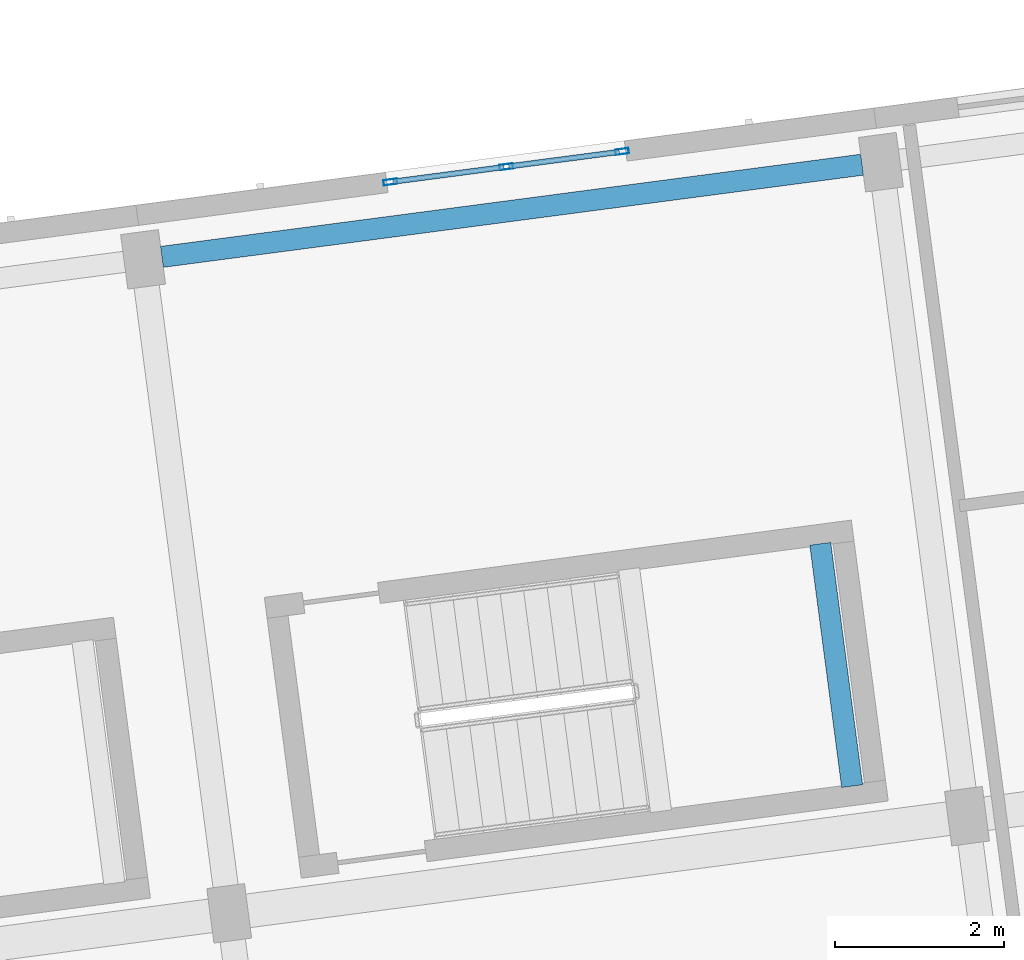
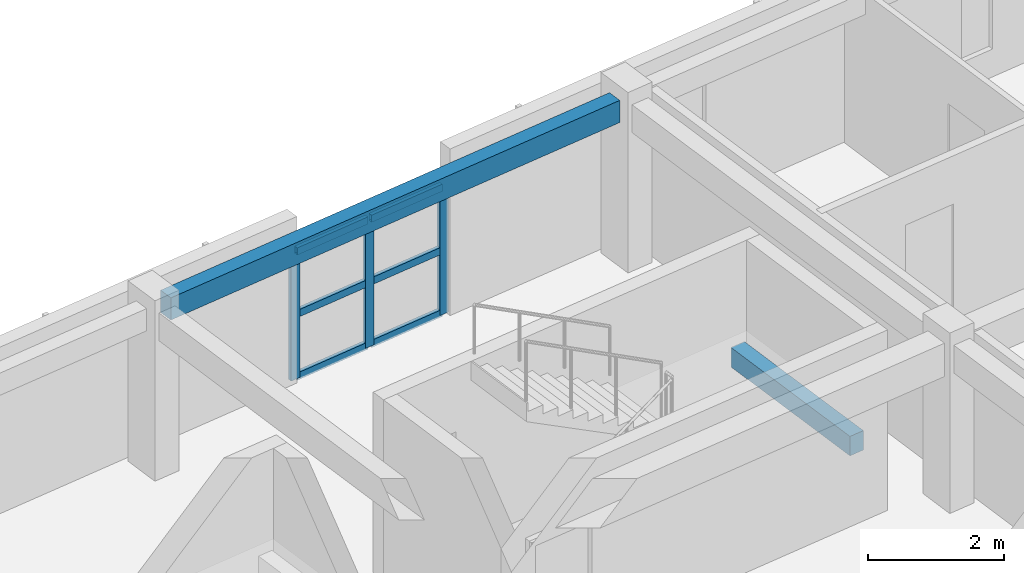
# One storey, part 5 of 45: 9 members, 2 beams, 1 element without a shape of its own.
"""IFC4 building model written with IfcOpenShell, lengths in metres."""

from ifc_helpers import new_model, si_unit, direction, frame, origin, origin_2d, place, context, subcontext, project, spatial, rectangle, hollow_rectangle, extrude, material, material_profile, profile_set, type_object, element, aggregate, save


model = new_model("IFC4")

# Units and contexts
model_context = context("Model", 3, precision=1e-05, world=origin(), true_north=direction((0.0, 1.0)))
body_context = subcontext(model_context, "Body", "Model", "MODEL_VIEW")
ifc_project = project(units=[si_unit("LENGTHUNIT", "METRE"), si_unit("AREAUNIT", "SQUARE_METRE"), si_unit("VOLUMEUNIT", "CUBIC_METRE"), si_unit("PLANEANGLEUNIT", "RADIAN"), si_unit("MASSUNIT", "GRAM", prefix="KILO")], contexts=[model_context])

# Site, building, storey
site_placement = place(None, origin())
site = spatial("IfcSite", under=ifc_project, at=site_placement, CompositionType="ELEMENT")
building_placement = place(site_placement, origin())
building = spatial("IfcBuilding", under=site, at=building_placement, Name="Kestramere Prow Commons", CompositionType="ELEMENT")
storey_placement = place(building_placement, frame((0.0, 0.0, 31.14990234375)))
storey = spatial("IfcBuildingStorey", under=building, at=storey_placement, Name="L09", CompositionType="ELEMENT", Elevation=31.14990234375)

# Beam
ifc_material_1 = material(Name="Concrete C40/50", Category="concrete")
ifc_material_profile_1 = material_profile(ifc_material_1, rectangle(XDim=0.25, YDim=0.35009765625, at=origin_2d()), Name="PC-BM 250x350")
ifc_profile_set_1 = profile_set([ifc_material_profile_1], Name="Concrete C40/50")
beam_type_1 = type_object("IfcBeamType", Name="BM-ST-TRIM", PredefinedType="BEAM", material=ifc_profile_set_1)
beam_1_placement = place(storey_placement, frame((34.423583984375, 87.897216796875, 1.25), z_axis=(-0.130509140242, 0.99144710616, 0.0), x_axis=(-0.99144710616, -0.130509140242, 0.0)))
element("IfcBeam", 1, at=beam_1_placement, inside=storey, type_object=beam_type_1, Name="ST-A2 L09 Landing Trimmer Beam 1B", PredefinedType="BEAM", context=body_context, shape_type="SweptSolid", body=[
    extrude(rectangle(XDim=0.25, YDim=0.35009765625, at=origin_2d()), origin(), (0.0, 0.0, 1.0), 2.89013671875),
])

# Curtain wall, members
ifc_material_2 = material(Name="Anodised Aluminium and Low-E Glass", Category="aluminium")
curtain_wall_type = type_object("IfcCurtainWallType", Name="CW-03 Glazed Curtain Wall 2830x2320", PredefinedType="USERDEFINED", material=ifc_material_2)
curtain_wall_placement = place(storey_placement, origin())
curtain_wall = element("IfcCurtainWall", 2, at=curtain_wall_placement, inside=storey, type_object=curtain_wall_type, Name="Block A L09 Stairwell Vertical Glazing 3", ObjectType="GLAZED CURTAIN WALL", PredefinedType="USERDEFINED")
ifc_material_3 = material(Name="Anodised Aluminium 6063-T6", Category="aluminium")
ifc_material_profile_2 = material_profile(ifc_material_3, hollow_rectangle(XDim=0.06494140625, YDim=0.159912109375, WallThickness=0.00390625, at=origin_2d()), Name="ALU-MUL 65x160")
ifc_profile_set_2 = profile_set([ifc_material_profile_2], Name="Anodised Aluminium 6063-T6")
member_type_1 = type_object("IfcMemberType", Name="CW-MUL-65x160", PredefinedType="MULLION", material=ifc_profile_set_2)
member_1_placement = place(storey_placement, frame((28.962158203125, 95.04052734375, 0.0), z_axis=(0.0, 0.0, 1.0), x_axis=(-0.130526494555, 0.991444821571, 0.0)))
member_1 = element("IfcMember", 3, at=member_1_placement, type_object=member_type_1, Name="CW-03 mullion 1", PredefinedType="MULLION", context=body_context, shape_type="SweptSolid", body=[
    extrude(hollow_rectangle(XDim=0.06494140625, YDim=0.159912109375, WallThickness=0.00390625, at=origin_2d()), origin(), (0.0, 0.0, 1.0), 2.320068359375),
])
member_2_placement = place(storey_placement, frame((30.332763671875, 95.220947265625, 0.0), z_axis=(0.0, 0.0, 1.0), x_axis=(-0.130526494555, 0.991444821571, 0.0)))
member_2 = element("IfcMember", 4, at=member_2_placement, type_object=member_type_1, Name="CW-03 mullion 2", PredefinedType="MULLION", context=body_context, shape_type="SweptSolid", body=[
    extrude(hollow_rectangle(XDim=0.06494140625, YDim=0.159912109375, WallThickness=0.00390625, at=origin_2d()), origin(), (0.0, 0.0, 1.0), 2.320068359375),
])
member_3_placement = place(storey_placement, frame((31.703369140625, 95.4013671875, 0.0), z_axis=(0.0, 0.0, 1.0), x_axis=(-0.130526494555, 0.991444821571, 0.0)))
member_3 = element("IfcMember", 5, at=member_3_placement, type_object=member_type_1, Name="CW-03 mullion 3", PredefinedType="MULLION", context=body_context, shape_type="SweptSolid", body=[
    extrude(hollow_rectangle(XDim=0.06494140625, YDim=0.159912109375, WallThickness=0.00390625, at=origin_2d()), origin(), (0.0, 0.0, 1.0), 2.320068359375),
])
ifc_material_profile_3 = material_profile(ifc_material_3, hollow_rectangle(XDim=0.06494140625, YDim=0.1298828125, WallThickness=0.00390625, at=origin_2d()), Name="ALU-TRN 65x130")
ifc_profile_set_3 = profile_set([ifc_material_profile_3], Name="Anodised Aluminium 6063-T6")
member_type_2 = type_object("IfcMemberType", Name="CW-TRN-65x130", PredefinedType="USERDEFINED", material=ifc_profile_set_3)
member_4_placement = place(storey_placement, frame((28.994384765625, 95.044677734375, 0.03271484375), z_axis=(0.99142904707, 0.130646257605, 0.0), x_axis=(-0.130646257605, 0.99142904707, 0.0)))
member_4 = element("IfcMember", 6, at=member_4_placement, type_object=member_type_2, Name="CW-03 transom 1.1", ObjectType="TRANSOM", PredefinedType="USERDEFINED", context=body_context, shape_type="SweptSolid", body=[
    extrude(hollow_rectangle(XDim=0.06494140625, YDim=0.1298828125, WallThickness=0.00390625, at=origin_2d()), origin(), (0.0, 0.0, 1.0), 1.3173828125),
])
member_5_placement = place(storey_placement, frame((28.994384765625, 95.044677734375, 1.16015625), z_axis=(0.99142904707, 0.130646257605, 0.0), x_axis=(-0.130646257605, 0.99142904707, 0.0)))
member_5 = element("IfcMember", 7, at=member_5_placement, type_object=member_type_2, Name="CW-03 transom 1.2", ObjectType="TRANSOM", PredefinedType="USERDEFINED", context=body_context, shape_type="SweptSolid", body=[
    extrude(hollow_rectangle(XDim=0.06494140625, YDim=0.1298828125, WallThickness=0.00390625, at=origin_2d()), origin(), (0.0, 0.0, 1.0), 1.3173828125),
])
member_6_placement = place(storey_placement, frame((28.994384765625, 95.044677734375, 2.28759765625), z_axis=(0.99142904707, 0.130646257605, 0.0), x_axis=(-0.130646257605, 0.99142904707, 0.0)))
member_6 = element("IfcMember", 8, at=member_6_placement, type_object=member_type_2, Name="CW-03 transom 1.3", ObjectType="TRANSOM", PredefinedType="USERDEFINED", context=body_context, shape_type="SweptSolid", body=[
    extrude(hollow_rectangle(XDim=0.06494140625, YDim=0.1298828125, WallThickness=0.00390625, at=origin_2d()), origin(), (0.0, 0.0, 1.0), 1.3173828125),
])
member_7_placement = place(storey_placement, frame((30.364990234375, 95.225341796875, 0.03271484375), z_axis=(0.991453033969, 0.130464100171, 0.0), x_axis=(-0.130464100171, 0.991453033969, 0.0)))
member_7 = element("IfcMember", 9, at=member_7_placement, type_object=member_type_2, Name="CW-03 transom 2.1", ObjectType="TRANSOM", PredefinedType="USERDEFINED", context=body_context, shape_type="SweptSolid", body=[
    extrude(hollow_rectangle(XDim=0.06494140625, YDim=0.1298828125, WallThickness=0.00390625, at=origin_2d()), origin(), (0.0, 0.0, 1.0), 1.3173828125),
])
member_8_placement = place(storey_placement, frame((30.364990234375, 95.225341796875, 1.16015625), z_axis=(0.991453033969, 0.130464100171, 0.0), x_axis=(-0.130464100171, 0.991453033969, 0.0)))
member_8 = element("IfcMember", 10, at=member_8_placement, type_object=member_type_2, Name="CW-03 transom 2.2", ObjectType="TRANSOM", PredefinedType="USERDEFINED", context=body_context, shape_type="SweptSolid", body=[
    extrude(hollow_rectangle(XDim=0.06494140625, YDim=0.1298828125, WallThickness=0.00390625, at=origin_2d()), origin(), (0.0, 0.0, 1.0), 1.3173828125),
])
member_9_placement = place(storey_placement, frame((30.364990234375, 95.225341796875, 2.28759765625), z_axis=(0.991453033969, 0.130464100171, 0.0), x_axis=(-0.130464100171, 0.991453033969, 0.0)))
member_9 = element("IfcMember", 11, at=member_9_placement, type_object=member_type_2, Name="CW-03 transom 2.3", ObjectType="TRANSOM", PredefinedType="USERDEFINED", context=body_context, shape_type="SweptSolid", body=[
    extrude(hollow_rectangle(XDim=0.06494140625, YDim=0.1298828125, WallThickness=0.00390625, at=origin_2d()), origin(), (0.0, 0.0, 1.0), 1.3173828125),
])
aggregate(curtain_wall, [member_1, member_2, member_3, member_4, member_5, member_6, member_7, member_8, member_9])

# Beam
ifc_material_4 = material(Name="Precast concrete C40/50", Category="concrete")
ifc_material_profile_4 = material_profile(ifc_material_4, rectangle(XDim=0.25, YDim=0.39990234375, at=origin_2d()), Name="PC-SP 250x400")
ifc_profile_set_4 = profile_set([ifc_material_profile_4], Name="Precast concrete C40/50")
beam_type_2 = type_object("IfcBeamType", Name="SP-EXT-01 PC-SP 250x400", PredefinedType="SPANDREL", material=ifc_profile_set_4)
beam_2_placement = place(storey_placement, frame((26.261962890625, 94.155517578125, 2.800048828125), z_axis=(0.991445635283, 0.13052031366, 0.0), x_axis=(-0.13052031366, 0.991445635283, 0.0)))
element("IfcBeam", 12, at=beam_2_placement, inside=storey, type_object=beam_type_2, Name="Block A L09 Longitudinal Beam 4-3", PredefinedType="SPANDREL", context=body_context, shape_type="SweptSolid", body=[
    extrude(rectangle(XDim=0.25, YDim=0.39990234375, at=origin_2d()), origin(), (0.0, 0.0, 1.0), 8.35009765625),
])

save(model, "model.ifc")
